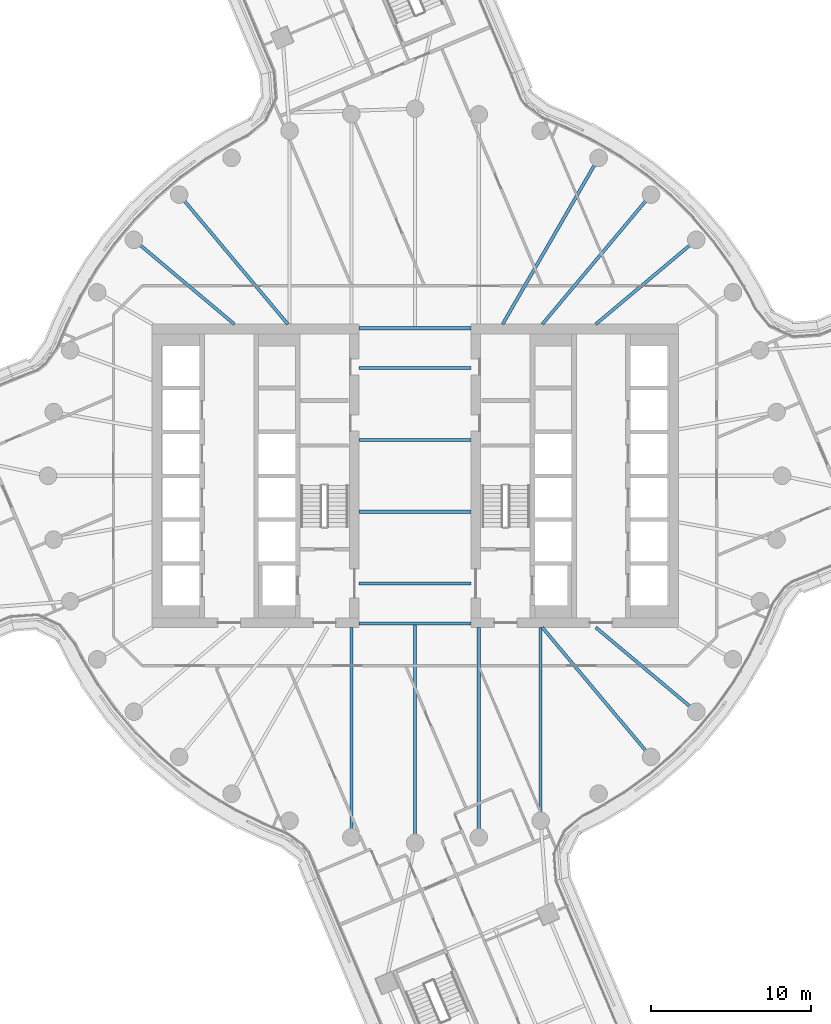
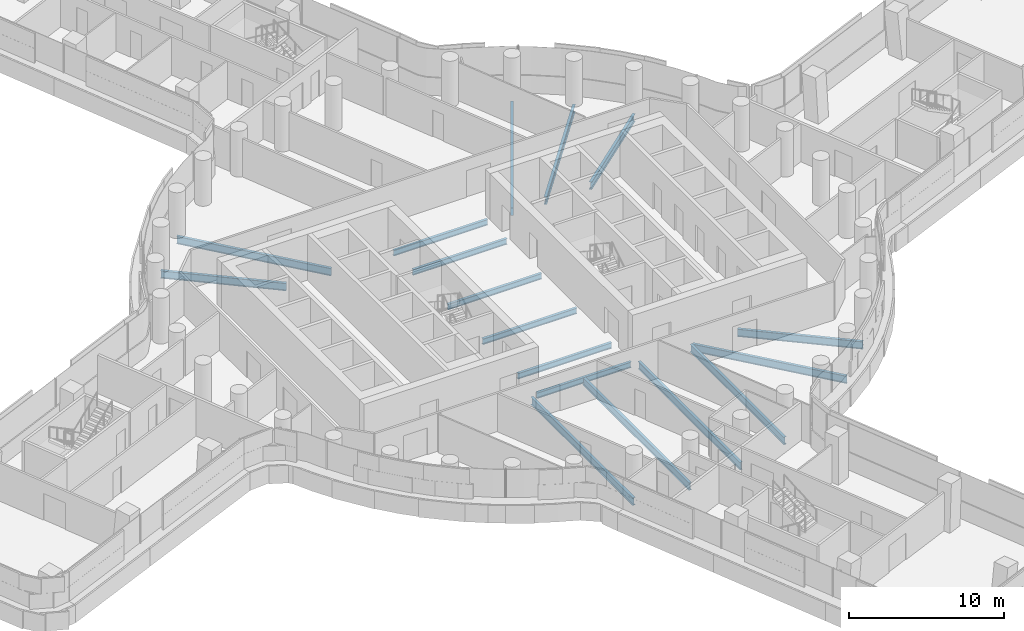
# One storey, part 9 of 35: 17 beams.
"""IFC4 building model written with IfcOpenShell, lengths in metres."""

from ifc_helpers import new_model, si_unit, direction, frame, origin, origin_2d, place, context, subcontext, project, spatial, i_section, extrude, material, material_profile, profile_set, type_object, element, save


model = new_model("IFC4")

# Units and contexts
model_context = context("Model", 3, precision=1e-05, world=origin(), true_north=direction((0.0, 1.0)))
body_context = subcontext(model_context, "Body", "Model", "MODEL_VIEW")
ifc_project = project(units=[si_unit("LENGTHUNIT", "METRE"), si_unit("AREAUNIT", "SQUARE_METRE"), si_unit("VOLUMEUNIT", "CUBIC_METRE"), si_unit("PLANEANGLEUNIT", "RADIAN"), si_unit("MASSUNIT", "GRAM", prefix="KILO")], contexts=[model_context])

# Site, building, storey
site_placement = place(None, origin())
site = spatial("IfcSite", under=ifc_project, at=site_placement, CompositionType="ELEMENT")
building_placement = place(site_placement, origin())
building = spatial("IfcBuilding", under=site, at=building_placement, Name="Tamarind Cross Interchange Tower", CompositionType="ELEMENT")
storey_placement = place(building_placement, frame((0.0, 0.0, 117.25)))
storey = spatial("IfcBuildingStorey", under=building, at=storey_placement, Name="L28", CompositionType="ELEMENT", Elevation=117.25)

# Beams
ifc_material = material(Name="Steel Q355B", Category="steel")
ifc_material_profile_1 = material_profile(ifc_material, i_section(OverallWidth=0.198974609375, OverallDepth=0.446044921875, WebThickness=0.008056640625, FlangeThickness=0.011962890625, FilletRadius=0.012939453125, at=origin_2d()), Name="HN 446x199x8x12")
ifc_profile_set_1 = profile_set([ifc_material_profile_1], Name="Steel Q355B")
beam_type_1 = type_object("IfcBeamType", Name="Composite beam HN 446x199x8x12 Q355B", PredefinedType="BEAM", material=ifc_profile_set_1)
for number, where, z_axis, x_axis, name in (
    (1, (-3.5, -2.25, -0.363037109375), (1.0, 0.0, 0.0), (0.0, 1.0, 0.0), "Beam G-2.25"),
    (2, (-3.5, -6.75, -0.363037109375), (1.0, 0.0, 0.0), (0.0, 1.0, 0.0), "Beam G-6.75"),
    (3, (-3.5, -9.25, -0.363037109375), (1.0, 0.0, 0.0), (0.0, 1.0, 0.0), "Beam G-9.25"),
    (4, (-3.5, 2.25, -0.363037109375), (1.0, 0.0, 0.0), (0.0, 1.0, 0.0), "Beam G2.25"),
    (5, (-3.5, 6.75, -0.363037109375), (1.0, 0.0, 0.0), (0.0, 1.0, 0.0), "Beam G6.75"),
    (6, (-3.5, 9.25, -0.363037109375), (1.0, 0.0, 0.0), (0.0, 1.0, 0.0), "Beam G9.25"),
):
    element("IfcBeam", number, at=place(storey_placement, frame(where, z_axis=z_axis, x_axis=x_axis)), inside=storey, type_object=beam_type_1, Name=name, PredefinedType="BEAM", context=body_context, shape_type="SweptSolid", body=[
        extrude(i_section(OverallWidth=0.198974609375, OverallDepth=0.446044921875, WebThickness=0.008056640625, FlangeThickness=0.011962890625, FilletRadius=0.012939453125, at=origin_2d()), origin(), (0.0, 0.0, 1.0), 7.0),
    ])
ifc_material_profile_2 = material_profile(ifc_material, i_section(OverallWidth=0.198974609375, OverallDepth=0.595947265625, WebThickness=0.010009765625, FlangeThickness=0.014892578125, FilletRadius=0.012939453125, at=origin_2d()), Name="HN 596x199x10x15")
ifc_profile_set_2 = profile_set([ifc_material_profile_2], Name="Steel Q355B")
beam_type_2 = type_object("IfcBeamType", Name="Composite beam HN 596x199x10x15 Q355B", PredefinedType="BEAM", material=ifc_profile_set_2)
beam_1_placement = place(storey_placement, frame((17.619140625, 14.7841796875, -0.43798828125), z_axis=(-0.766040580814, -0.642792212574, 0.0), x_axis=(0.642792212574, -0.766040580814, 0.0)))
element("IfcBeam", 7, at=beam_1_placement, inside=storey, type_object=beam_type_2, Name="Beam HH04", PredefinedType="BEAM", context=body_context, shape_type="SweptSolid", body=[
    extrude(i_section(OverallWidth=0.198974609375, OverallDepth=0.595947265625, WebThickness=0.010009765625, FlangeThickness=0.014892578125, FilletRadius=0.012939453125, at=origin_2d()), origin(), (0.0, 0.0, 1.0), 8.220703125),
])
beam_2_placement = place(storey_placement, frame((14.7841796875, 17.619140625, -0.43798828125), z_axis=(-0.642786293979, -0.766045547127, 0.0), x_axis=(0.766045547127, -0.642786293979, 0.0)))
element("IfcBeam", 8, at=beam_2_placement, inside=storey, type_object=beam_type_2, Name="Beam HH05", PredefinedType="BEAM", context=body_context, shape_type="SweptSolid", body=[
    extrude(i_section(OverallWidth=0.198974609375, OverallDepth=0.595947265625, WebThickness=0.010009765625, FlangeThickness=0.014892578125, FilletRadius=0.012939453125, at=origin_2d()), origin(), (0.0, 0.0, 1.0), 10.598876953125),
])
beam_3_placement = place(storey_placement, frame((11.5, 19.918701171875, -0.43798828125), z_axis=(-0.499993565836, -0.866029118519, 0.0), x_axis=(0.866029118519, -0.499993565836, 0.0)))
element("IfcBeam", 9, at=beam_3_placement, inside=storey, type_object=beam_type_2, Name="Beam HH06", PredefinedType="BEAM", context=body_context, shape_type="SweptSolid", body=[
    extrude(i_section(OverallWidth=0.198974609375, OverallDepth=0.595947265625, WebThickness=0.010009765625, FlangeThickness=0.014892578125, FilletRadius=0.012939453125, at=origin_2d()), origin(), (0.0, 0.0, 1.0), 12.030517578125),
])
beam_4_placement = place(storey_placement, frame((-14.7841796875, 17.619140625, -0.43798828125), z_axis=(0.642786293979, -0.766045547127, 0.0), x_axis=(0.766045547127, 0.642786293979, 0.0)))
element("IfcBeam", 10, at=beam_4_placement, inside=storey, type_object=beam_type_2, Name="Beam HH13", PredefinedType="BEAM", context=body_context, shape_type="SweptSolid", body=[
    extrude(i_section(OverallWidth=0.198974609375, OverallDepth=0.595947265625, WebThickness=0.010009765625, FlangeThickness=0.014892578125, FilletRadius=0.012939453125, at=origin_2d()), origin(), (0.0, 0.0, 1.0), 10.598876953125),
])
beam_5_placement = place(storey_placement, frame((-17.619140625, 14.7841796875, -0.43798828125), z_axis=(0.766040580814, -0.642792212574, 0.0), x_axis=(0.642792212574, 0.766040580814, 0.0)))
element("IfcBeam", 11, at=beam_5_placement, inside=storey, type_object=beam_type_2, Name="Beam HH14", PredefinedType="BEAM", context=body_context, shape_type="SweptSolid", body=[
    extrude(i_section(OverallWidth=0.198974609375, OverallDepth=0.595947265625, WebThickness=0.010009765625, FlangeThickness=0.014892578125, FilletRadius=0.012939453125, at=origin_2d()), origin(), (0.0, 0.0, 1.0), 8.220703125),
])
beam_6_placement = place(storey_placement, frame((-3.993896484375, -22.650634765625, -0.43798828125), z_axis=(0.0, 1.0, 0.0), x_axis=(-1.0, 0.0, 0.0)))
element("IfcBeam", 12, at=beam_6_placement, inside=storey, type_object=beam_type_2, Name="Beam HH26", PredefinedType="BEAM", context=body_context, shape_type="SweptSolid", body=[
    extrude(i_section(OverallWidth=0.198974609375, OverallDepth=0.595947265625, WebThickness=0.010009765625, FlangeThickness=0.014892578125, FilletRadius=0.012939453125, at=origin_2d()), origin(), (0.0, 0.0, 1.0), 13.150634765625),
])
beam_7_placement = place(storey_placement, frame((0.0, -23.0, -0.43798828125), z_axis=(0.0, 1.0, 0.0), x_axis=(-1.0, 0.0, 0.0)))
element("IfcBeam", 13, at=beam_7_placement, inside=storey, type_object=beam_type_2, Name="Beam HH27", PredefinedType="BEAM", context=body_context, shape_type="SweptSolid", body=[
    extrude(i_section(OverallWidth=0.198974609375, OverallDepth=0.595947265625, WebThickness=0.010009765625, FlangeThickness=0.014892578125, FilletRadius=0.012939453125, at=origin_2d()), origin(), (0.0, 0.0, 1.0), 13.75),
])
beam_8_placement = place(storey_placement, frame((3.993896484375, -22.650634765625, -0.43798828125), z_axis=(0.0, 1.0, 0.0), x_axis=(-1.0, 0.0, 0.0)))
element("IfcBeam", 14, at=beam_8_placement, inside=storey, type_object=beam_type_2, Name="Beam HH28", PredefinedType="BEAM", context=body_context, shape_type="SweptSolid", body=[
    extrude(i_section(OverallWidth=0.198974609375, OverallDepth=0.595947265625, WebThickness=0.010009765625, FlangeThickness=0.014892578125, FilletRadius=0.012939453125, at=origin_2d()), origin(), (0.0, 0.0, 1.0), 13.150634765625),
])
beam_9_placement = place(storey_placement, frame((7.866455078125, -21.613037109375, -0.43798828125), z_axis=(0.0, 1.0, 0.0), x_axis=(-1.0, 0.0, 0.0)))
element("IfcBeam", 15, at=beam_9_placement, inside=storey, type_object=beam_type_2, Name="Beam HH29", PredefinedType="BEAM", context=body_context, shape_type="SweptSolid", body=[
    extrude(i_section(OverallWidth=0.198974609375, OverallDepth=0.595947265625, WebThickness=0.010009765625, FlangeThickness=0.014892578125, FilletRadius=0.012939453125, at=origin_2d()), origin(), (0.0, 0.0, 1.0), 12.113037109375),
])
beam_10_placement = place(storey_placement, frame((14.7841796875, -17.619140625, -0.43798828125), z_axis=(-0.642786293979, 0.766045547127, 0.0), x_axis=(-0.766045547127, -0.642786293979, 0.0)))
element("IfcBeam", 16, at=beam_10_placement, inside=storey, type_object=beam_type_2, Name="Beam HH31", PredefinedType="BEAM", context=body_context, shape_type="SweptSolid", body=[
    extrude(i_section(OverallWidth=0.198974609375, OverallDepth=0.595947265625, WebThickness=0.010009765625, FlangeThickness=0.014892578125, FilletRadius=0.012939453125, at=origin_2d()), origin(), (0.0, 0.0, 1.0), 10.598876953125),
])
beam_11_placement = place(storey_placement, frame((17.619140625, -14.7841796875, -0.43798828125), z_axis=(-0.766040580814, 0.642792212574, 0.0), x_axis=(-0.642792212574, -0.766040580814, 0.0)))
element("IfcBeam", 17, at=beam_11_placement, inside=storey, type_object=beam_type_2, Name="Beam HH32", PredefinedType="BEAM", context=body_context, shape_type="SweptSolid", body=[
    extrude(i_section(OverallWidth=0.198974609375, OverallDepth=0.595947265625, WebThickness=0.010009765625, FlangeThickness=0.014892578125, FilletRadius=0.012939453125, at=origin_2d()), origin(), (0.0, 0.0, 1.0), 8.220703125),
])

save(model, "model.ifc")
